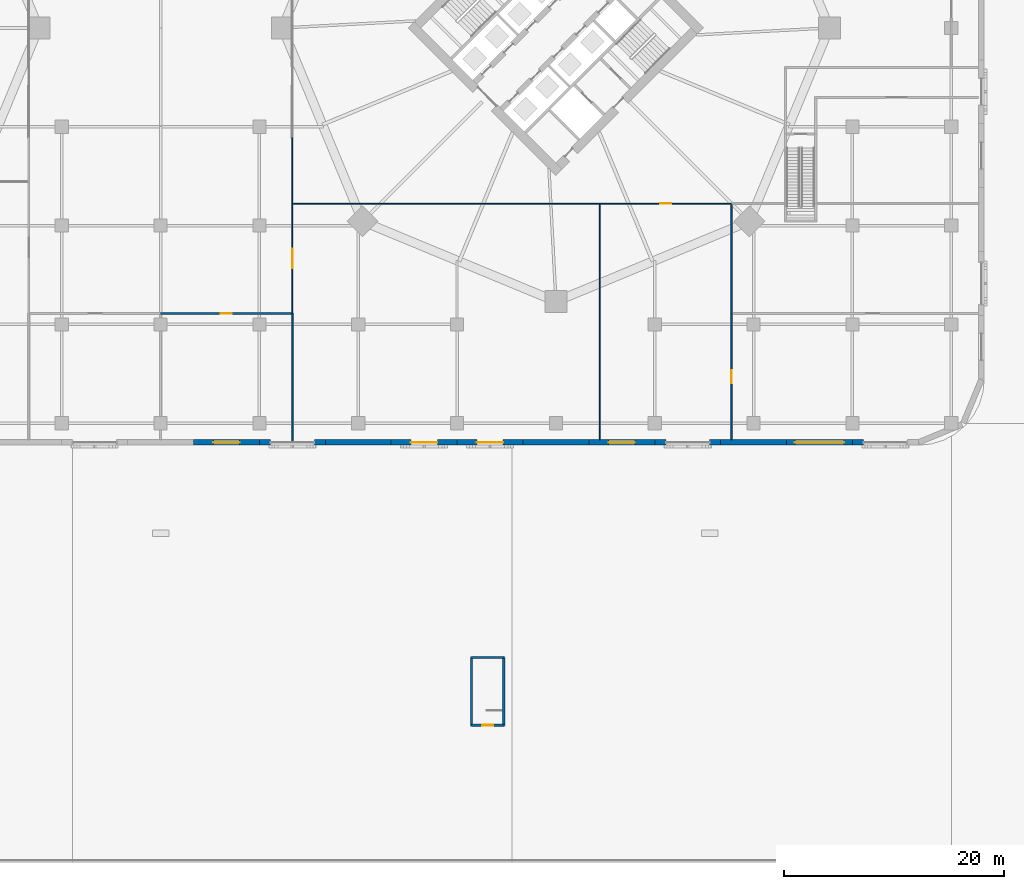
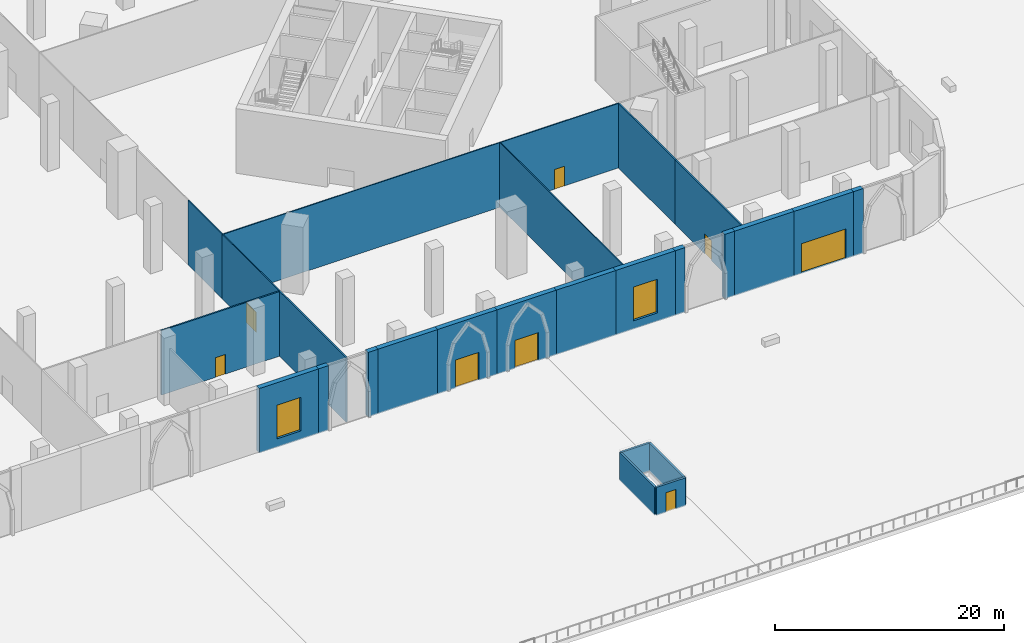
# One storey, part 27 of 48: 26 walls, 8 doors, 2 windows, 10 openings.
"""IFC4 building model written with IfcOpenShell, lengths in metres."""

from ifc_helpers import new_model, si_unit, direction, frame, frame_2d, origin, place, context, subcontext, project, spatial, rectangle, extrude, material, layer, layer_set, type_object, element, fill, save


model = new_model("IFC4")

# Units and contexts
model_context = context("Model", 3, precision=1e-05, world=origin(), true_north=direction((0.0, 1.0)))
body_context = subcontext(model_context, "Body", "Model", "MODEL_VIEW")
ifc_project = project(units=[si_unit("LENGTHUNIT", "METRE"), si_unit("AREAUNIT", "SQUARE_METRE"), si_unit("VOLUMEUNIT", "CUBIC_METRE"), si_unit("PLANEANGLEUNIT", "RADIAN"), si_unit("MASSUNIT", "GRAM", prefix="KILO")], contexts=[model_context])

# Site, building, storey
site_placement = place(None, origin())
site = spatial("IfcSite", under=ifc_project, at=site_placement, CompositionType="ELEMENT")
building_placement = place(site_placement, origin())
building = spatial("IfcBuilding", under=site, at=building_placement, Name="Ogive Gate Towers", CompositionType="ELEMENT")
storey_placement = place(building_placement, origin())
storey = spatial("IfcBuildingStorey", under=building, at=storey_placement, Name="L00", CompositionType="ELEMENT", Elevation=0.0)

# Wall, opening, window
ifc_material_1 = material(Name="Precast concrete C40/50", Category="concrete")
ifc_layer_1 = layer(ifc_material_1, 0.5)
ifc_layer_set_1 = layer_set([ifc_layer_1], Name="Arcade wall 500")
wall_type_1 = type_object("IfcWallType", Name="Arcade wall 500", PredefinedType="SOLIDWALL", material=ifc_layer_set_1)
wall_1_placement = place(storey_placement, frame((3.0, -37.75, 0.0), z_axis=(0.0, 0.0, 1.0), x_axis=(1.0, 0.0, 0.0)))
wall_1 = element("IfcWall", 1, at=wall_1_placement, inside=storey, type_object=wall_type_1, Name="Podium wall", PredefinedType="SOLIDWALL", context=body_context, shape_type="SweptSolid", body=[
    extrude(rectangle(XDim=6.0, YDim=0.5, at=frame_2d((3.0, 0.0))), origin(), (0.0, 0.0, 1.0), 6.89990234375),
])
opening_1_placement = place(wall_1_placement, frame((1.800048828125, 0.0, 0.89990234375)))
opening_1 = element("IfcOpeningElement", 2, at=opening_1_placement, cuts=wall_1, Name="Opening WN4", PredefinedType="OPENING", context=body_context, shape_type="SweptSolid", body=[
    extrude(rectangle(XDim=2.39990234375, YDim=3.60009765625, at=frame_2d((1.199951171875, 1.800048828125))), frame((0.0, 0.260009765625, 0.0), z_axis=(0.0, -1.0, 0.0), x_axis=(1.0, 0.0, 0.0)), (0.0, 0.0, 1.0), 0.52001953125),
])
ifc_material_2 = material(Name="Clear glass", Category="glass")
window_type = type_object("IfcWindowType", Name="Arcade window 2400 x 3600", PartitioningType="SINGLE_PANEL", PredefinedType="WINDOW", material=ifc_material_2)
window_1_placement = place(opening_1_placement, origin())
window_1 = element("IfcWindow", 3, at=window_1_placement, inside=storey, type_object=window_type, Name="Podium window", OverallHeight=3.60009765625, OverallWidth=2.39990234375, PartitioningType="SINGLE_PANEL", PredefinedType="WINDOW", context=body_context, shape_type="SweptSolid", body=[
    extrude(rectangle(XDim=2.39990234375, YDim=3.60009765625, at=frame_2d((1.199951171875, 1.800048828125))), frame((0.0, 0.030029296875, 0.0), z_axis=(0.0, -1.0, 0.0), x_axis=(1.0, 0.0, 0.0)), (0.0, 0.0, 1.0), 0.06005859375),
])
fill(opening_1, window_1)

# Walls
for number, where, z_axis, x_axis, name in (
    (4, (9.0, -37.75, 0.0), (0.0, 0.0, 1.0), (1.0, 0.0, 0.0), "Podium wall"),
    (5, (14.0, -37.75, 0.0), (0.0, 0.0, 1.0), (1.0, 0.0, 0.0), "Podium wall"),
):
    element("IfcWall", number, at=place(storey_placement, frame(where, z_axis=z_axis, x_axis=x_axis)), inside=storey, type_object=wall_type_1, Name=name, PredefinedType="SOLIDWALL", context=body_context, shape_type="SweptSolid", body=[
        extrude(rectangle(XDim=1.0, YDim=0.5, at=frame_2d((0.5, 0.0))), origin(), (0.0, 0.0, 1.0), 6.89990234375),
    ])
wall_2_placement = place(storey_placement, frame((15.0, -37.75, 0.0), z_axis=(0.0, 0.0, 1.0), x_axis=(1.0, 0.0, 0.0)))
element("IfcWall", 6, at=wall_2_placement, inside=storey, type_object=wall_type_1, Name="Podium wall", PredefinedType="SOLIDWALL", context=body_context, shape_type="SweptSolid", body=[
    extrude(rectangle(XDim=6.0, YDim=0.5, at=frame_2d((3.0, 0.0))), origin(), (0.0, 0.0, 1.0), 6.89990234375),
])

# Wall, opening, door
wall_3_placement = place(storey_placement, frame((21.0, -37.75, 0.0), z_axis=(0.0, 0.0, 1.0), x_axis=(1.0, 0.0, 0.0)))
wall_3 = element("IfcWall", 7, at=wall_3_placement, inside=storey, type_object=wall_type_1, Name="Podium wall", PredefinedType="SOLIDWALL", context=body_context, shape_type="SweptSolid", body=[
    extrude(rectangle(XDim=6.0, YDim=0.5, at=frame_2d((3.0, 0.0))), origin(), (0.0, 0.0, 1.0), 6.89990234375),
])
opening_2_placement = place(wall_3_placement, frame((1.800048828125, 0.0, 0.0)))
opening_2 = element("IfcOpeningElement", 8, at=opening_2_placement, cuts=wall_3, Name="Opening ED2-L00-16", PredefinedType="OPENING", context=body_context, shape_type="SweptSolid", body=[
    extrude(rectangle(XDim=2.39990234375, YDim=3.0, at=frame_2d((1.199951171875, 1.5))), frame((0.0, 0.260009765625, 0.0), z_axis=(0.0, -1.0, 0.0), x_axis=(1.0, 0.0, 0.0)), (0.0, 0.0, 1.0), 0.52001953125),
])
ifc_material_3 = material(Name="Pale metal aluminium", Category="aluminium")
door_type_1 = type_object("IfcDoorType", Name="Entrance door 2400 x 3000", OperationType="DOUBLE_DOOR_SINGLE_SWING", PredefinedType="DOOR", material=ifc_material_3)
door_1_placement = place(opening_2_placement, origin())
door_1 = element("IfcDoor", 9, at=door_1_placement, inside=storey, type_object=door_type_1, Name="Exterior door", OperationType="SINGLE_SWING_LEFT", OverallHeight=3.0, OverallWidth=2.39990234375, PredefinedType="DOOR", context=body_context, shape_type="SweptSolid", body=[
    extrude(rectangle(XDim=2.39990234375, YDim=3.0, at=frame_2d((1.199951171875, 1.5))), frame((0.0, 0.02490234375, 0.0), z_axis=(0.0, -1.0, 0.0), x_axis=(1.0, 0.0, 0.0)), (0.0, 0.0, 1.0), 0.050048828125),
])
fill(opening_2, door_1)

wall_4_placement = place(storey_placement, frame((27.0, -37.75, 0.0), z_axis=(0.0, 0.0, 1.0), x_axis=(1.0, 0.0, 0.0)))
wall_4 = element("IfcWall", 10, at=wall_4_placement, inside=storey, type_object=wall_type_1, Name="Podium wall", PredefinedType="SOLIDWALL", context=body_context, shape_type="SweptSolid", body=[
    extrude(rectangle(XDim=6.0, YDim=0.5, at=frame_2d((3.0, 0.0))), origin(), (0.0, 0.0, 1.0), 6.89990234375),
])
opening_3_placement = place(wall_4_placement, frame((1.800048828125, 0.0, 0.0)))
opening_3 = element("IfcOpeningElement", 11, at=opening_3_placement, cuts=wall_4, Name="Opening ED2-L00-17", PredefinedType="OPENING", context=body_context, shape_type="SweptSolid", body=[
    extrude(rectangle(XDim=2.39990234375, YDim=3.0, at=frame_2d((1.199951171875, 1.5))), frame((0.0, 0.260009765625, 0.0), z_axis=(0.0, -1.0, 0.0), x_axis=(1.0, 0.0, 0.0)), (0.0, 0.0, 1.0), 0.52001953125),
])
door_2_placement = place(opening_3_placement, origin())
door_2 = element("IfcDoor", 12, at=door_2_placement, inside=storey, type_object=door_type_1, Name="Exterior door", OperationType="SINGLE_SWING_LEFT", OverallHeight=3.0, OverallWidth=2.39990234375, PredefinedType="DOOR", context=body_context, shape_type="SweptSolid", body=[
    extrude(rectangle(XDim=2.39990234375, YDim=3.0, at=frame_2d((1.199951171875, 1.5))), frame((0.0, 0.02490234375, 0.0), z_axis=(0.0, -1.0, 0.0), x_axis=(1.0, 0.0, 0.0)), (0.0, 0.0, 1.0), 0.050048828125),
])
fill(opening_3, door_2)

# Wall
wall_5_placement = place(storey_placement, frame((33.0, -37.75, 0.0), z_axis=(0.0, 0.0, 1.0), x_axis=(1.0, 0.0, 0.0)))
element("IfcWall", 13, at=wall_5_placement, inside=storey, type_object=wall_type_1, Name="Podium wall", PredefinedType="SOLIDWALL", context=body_context, shape_type="SweptSolid", body=[
    extrude(rectangle(XDim=6.0, YDim=0.5, at=frame_2d((3.0, 0.0))), origin(), (0.0, 0.0, 1.0), 6.89990234375),
])

# Wall, opening, window
wall_6_placement = place(storey_placement, frame((39.0, -37.75, 0.0), z_axis=(0.0, 0.0, 1.0), x_axis=(1.0, 0.0, 0.0)))
wall_6 = element("IfcWall", 14, at=wall_6_placement, inside=storey, type_object=wall_type_1, Name="Podium wall", PredefinedType="SOLIDWALL", context=body_context, shape_type="SweptSolid", body=[
    extrude(rectangle(XDim=6.0, YDim=0.5, at=frame_2d((3.0, 0.0))), origin(), (0.0, 0.0, 1.0), 6.89990234375),
])
opening_4_placement = place(wall_6_placement, frame((1.800048828125, 0.0, 0.89990234375)))
opening_4 = element("IfcOpeningElement", 15, at=opening_4_placement, cuts=wall_6, Name="Opening WN4", PredefinedType="OPENING", context=body_context, shape_type="SweptSolid", body=[
    extrude(rectangle(XDim=2.39990234375, YDim=3.60009765625, at=frame_2d((1.199951171875, 1.800048828125))), frame((0.0, 0.260009765625, 0.0), z_axis=(0.0, -1.0, 0.0), x_axis=(1.0, 0.0, 0.0)), (0.0, 0.0, 1.0), 0.52001953125),
])
window_2_placement = place(opening_4_placement, origin())
window_2 = element("IfcWindow", 16, at=window_2_placement, inside=storey, type_object=window_type, Name="Podium window", OverallHeight=3.60009765625, OverallWidth=2.39990234375, PartitioningType="SINGLE_PANEL", PredefinedType="WINDOW", context=body_context, shape_type="SweptSolid", body=[
    extrude(rectangle(XDim=2.39990234375, YDim=3.60009765625, at=frame_2d((1.199951171875, 1.800048828125))), frame((0.0, 0.030029296875, 0.0), z_axis=(0.0, -1.0, 0.0), x_axis=(1.0, 0.0, 0.0)), (0.0, 0.0, 1.0), 0.06005859375),
])
fill(opening_4, window_2)

# Walls
for number, where, z_axis, x_axis, name in (
    (17, (45.0, -37.75, 0.0), (0.0, 0.0, 1.0), (1.0, 0.0, 0.0), "Podium wall"),
    (18, (50.0, -37.75, 0.0), (0.0, 0.0, 1.0), (1.0, 0.0, 0.0), "Podium wall"),
):
    element("IfcWall", number, at=place(storey_placement, frame(where, z_axis=z_axis, x_axis=x_axis)), inside=storey, type_object=wall_type_1, Name=name, PredefinedType="SOLIDWALL", context=body_context, shape_type="SweptSolid", body=[
        extrude(rectangle(XDim=1.0, YDim=0.5, at=frame_2d((0.5, 0.0))), origin(), (0.0, 0.0, 1.0), 6.89990234375),
    ])
wall_7_placement = place(storey_placement, frame((51.0, -37.75, 0.0), z_axis=(0.0, 0.0, 1.0), x_axis=(1.0, 0.0, 0.0)))
element("IfcWall", 19, at=wall_7_placement, inside=storey, type_object=wall_type_1, Name="Podium wall", PredefinedType="SOLIDWALL", context=body_context, shape_type="SweptSolid", body=[
    extrude(rectangle(XDim=6.0, YDim=0.5, at=frame_2d((3.0, 0.0))), origin(), (0.0, 0.0, 1.0), 6.89990234375),
])

# Wall, opening, door
wall_8_placement = place(storey_placement, frame((57.0, -37.75, 0.0), z_axis=(0.0, 0.0, 1.0), x_axis=(1.0, 0.0, 0.0)))
wall_8 = element("IfcWall", 20, at=wall_8_placement, inside=storey, type_object=wall_type_1, Name="Podium wall", PredefinedType="SOLIDWALL", context=body_context, shape_type="SweptSolid", body=[
    extrude(rectangle(XDim=6.0, YDim=0.5, at=frame_2d((3.0, 0.0))), origin(), (0.0, 0.0, 1.0), 6.89990234375),
])
opening_5_placement = place(wall_8_placement, frame((0.75, 0.0, 0.0)))
opening_5 = element("IfcOpeningElement", 21, at=opening_5_placement, cuts=wall_8, Name="Opening ED4-L00-01", PredefinedType="OPENING", context=body_context, shape_type="SweptSolid", body=[
    extrude(rectangle(XDim=4.5, YDim=3.199951171875, at=frame_2d((2.25, 1.60009765625))), frame((0.0, 0.260009765625, 0.0), z_axis=(0.0, -1.0, 0.0), x_axis=(1.0, 0.0, 0.0)), (0.0, 0.0, 1.0), 0.52001953125),
])
ifc_material_4 = material(Name="Galvanised steel", Category="steel")
door_type_2 = type_object("IfcDoorType", Name="Vehicle gate 4500 x 3200", OperationType="ROLLINGUP", PredefinedType="GATE", material=ifc_material_4)
door_3_placement = place(opening_5_placement, origin())
door_3 = element("IfcDoor", 22, at=door_3_placement, inside=storey, type_object=door_type_2, Name="Exterior door", OperationType="SINGLE_SWING_LEFT", OverallHeight=3.199951171875, OverallWidth=4.5, PredefinedType="GATE", context=body_context, shape_type="SweptSolid", body=[
    extrude(rectangle(XDim=4.5, YDim=3.199951171875, at=frame_2d((2.25, 1.60009765625))), frame((0.0, 0.02490234375, 0.0), z_axis=(0.0, -1.0, 0.0), x_axis=(1.0, 0.0, 0.0)), (0.0, 0.0, 1.0), 0.050048828125),
])
fill(opening_5, door_3)

# Walls
wall_9_placement = place(storey_placement, frame((63.0, -37.75, 0.0), z_axis=(0.0, 0.0, 1.0), x_axis=(1.0, 0.0, 0.0)))
element("IfcWall", 23, at=wall_9_placement, inside=storey, type_object=wall_type_1, Name="Podium wall", PredefinedType="SOLIDWALL", context=body_context, shape_type="SweptSolid", body=[
    extrude(rectangle(XDim=1.0, YDim=0.5, at=frame_2d((0.5, 0.0))), origin(), (0.0, 0.0, 1.0), 6.89990234375),
])
ifc_material_5 = material(Name="Gypsum board partition")
ifc_layer_2 = layer(ifc_material_5, 0.10009765625)
ifc_layer_set_2 = layer_set([ifc_layer_2], Name="Partition wall 100")
wall_type_2 = type_object("IfcWallType", Name="Partition wall 100", PredefinedType="PARTITIONING", material=ifc_layer_set_2)
wall_10_placement = place(storey_placement, frame((12.0, -16.0, 0.0), z_axis=(0.0, 0.0, 1.0), x_axis=(0.0, 1.0, 0.0)))
element("IfcWall", 24, at=wall_10_placement, inside=storey, type_object=wall_type_2, Name="L00 partition 030", PredefinedType="PARTITIONING", context=body_context, shape_type="SweptSolid", body=[
    extrude(rectangle(XDim=6.0, YDim=0.10009765625, at=frame_2d((3.0, 0.0))), origin(), (0.0, 0.0, 1.0), 6.89990234375),
])

# Wall, opening, door
wall_11_placement = place(storey_placement, frame((12.0, -26.0, 0.0), z_axis=(0.0, 0.0, 1.0), x_axis=(0.0, 1.0, 0.0)))
wall_11 = element("IfcWall", 25, at=wall_11_placement, inside=storey, type_object=wall_type_2, Name="L00 partition 031", PredefinedType="PARTITIONING", context=body_context, shape_type="SweptSolid", body=[
    extrude(rectangle(XDim=10.0, YDim=0.10009765625, at=frame_2d((5.0, 0.0))), origin(), (0.0, 0.0, 1.0), 6.89990234375),
])
opening_6_placement = place(wall_11_placement, frame((4.10009765625, 0.0, 0.0)))
opening_6 = element("IfcOpeningElement", 26, at=opening_6_placement, cuts=wall_11, Name="Opening PO118", PredefinedType="OPENING", context=body_context, shape_type="SweptSolid", body=[
    extrude(rectangle(XDim=1.800048828125, YDim=2.10009765625, at=frame_2d((0.89990234375, 1.050048828125))), frame((0.0, 0.06005859375, 0.0), z_axis=(0.0, -1.0, 0.0), x_axis=(1.0, 0.0, 0.0)), (0.0, 0.0, 1.0), 0.1201171875),
])
ifc_material_6 = material(Name="Timber door", Category="wood")
door_type_3 = type_object("IfcDoorType", Name="Double door 1800 x 2100", OperationType="NOTDEFINED", PredefinedType="DOOR", material=ifc_material_6)
door_4_placement = place(opening_6_placement, origin())
door_4 = element("IfcDoor", 27, at=door_4_placement, inside=storey, type_object=door_type_3, Name="Door PO118", OperationType="DOUBLE_DOOR_DOUBLE_SWING", OverallHeight=2.10009765625, OverallWidth=1.800048828125, PredefinedType="DOOR", context=body_context, shape_type="SweptSolid", body=[
    extrude(rectangle(XDim=1.800048828125, YDim=2.10009765625, at=frame_2d((0.89990234375, 1.050048828125))), frame((0.0, 0.02490234375, 0.0), z_axis=(0.0, -1.0, 0.0), x_axis=(1.0, 0.0, 0.0)), (0.0, 0.0, 1.0), 0.050048828125),
])
fill(opening_6, door_4)

# Wall
wall_12_placement = place(storey_placement, frame((12.050048828125, -16.0, 0.0), z_axis=(0.0, 0.0, 1.0), x_axis=(1.0, 0.0, 0.0)))
element("IfcWall", 28, at=wall_12_placement, inside=storey, type_object=wall_type_2, Name="L00 partition 054", PredefinedType="PARTITIONING", context=body_context, shape_type="SweptSolid", body=[
    extrude(rectangle(XDim=27.949951171875, YDim=0.10009765625, at=frame_2d((13.97509765625, 0.0))), origin(), (0.0, 0.0, 1.0), 6.89990234375),
])

# Wall, opening, door
wall_13_placement = place(storey_placement, frame((40.0, -16.0, 0.0), z_axis=(0.0, 0.0, 1.0), x_axis=(1.0, 0.0, 0.0)))
wall_13 = element("IfcWall", 29, at=wall_13_placement, inside=storey, type_object=wall_type_2, Name="L00 partition 055", PredefinedType="PARTITIONING", context=body_context, shape_type="SweptSolid", body=[
    extrude(rectangle(XDim=12.0, YDim=0.10009765625, at=frame_2d((6.0, 0.0))), origin(), (0.0, 0.0, 1.0), 6.89990234375),
])
opening_7_placement = place(wall_13_placement, frame((5.5, 0.0, 0.0)))
opening_7 = element("IfcOpeningElement", 30, at=opening_7_placement, cuts=wall_13, Name="Opening PO119", PredefinedType="OPENING", context=body_context, shape_type="SweptSolid", body=[
    extrude(rectangle(XDim=1.0, YDim=2.10009765625, at=frame_2d((0.5, 1.050048828125))), frame((0.0, 0.06005859375, 0.0), z_axis=(0.0, -1.0, 0.0), x_axis=(1.0, 0.0, 0.0)), (0.0, 0.0, 1.0), 0.1201171875),
])
door_type_4 = type_object("IfcDoorType", Name="Door 1000 x 2100", OperationType="NOTDEFINED", PredefinedType="DOOR", material=ifc_material_6)
door_5_placement = place(opening_7_placement, origin())
door_5 = element("IfcDoor", 31, at=door_5_placement, inside=storey, type_object=door_type_4, Name="Door PO119", OperationType="SINGLE_SWING_LEFT", OverallHeight=2.10009765625, OverallWidth=1.0, PredefinedType="DOOR", context=body_context, shape_type="SweptSolid", body=[
    extrude(rectangle(XDim=1.0, YDim=2.10009765625, at=frame_2d((0.5, 1.050048828125))), frame((0.0, 0.02490234375, 0.0), z_axis=(0.0, -1.0, 0.0), x_axis=(1.0, 0.0, 0.0)), (0.0, 0.0, 1.0), 0.050048828125),
])
fill(opening_7, door_5)

# Wall
wall_14_placement = place(storey_placement, frame((40.0, -37.5, 0.0), z_axis=(0.0, 0.0, 1.0), x_axis=(0.0, 1.0, 0.0)))
element("IfcWall", 32, at=wall_14_placement, inside=storey, type_object=wall_type_2, Name="L00 partition 059", PredefinedType="PARTITIONING", context=body_context, shape_type="SweptSolid", body=[
    extrude(rectangle(XDim=21.449951171875, YDim=0.10009765625, at=frame_2d((10.72509765625, 0.0))), origin(), (0.0, 0.0, 1.0), 6.89990234375),
])

# Wall, opening, door
ifc_material_7 = material(Name="Fire-rated gypsum board partition")
ifc_layer_3 = layer(ifc_material_7, 0.14990234375)
ifc_layer_set_3 = layer_set([ifc_layer_3], Name="Partition wall 150")
wall_type_3 = type_object("IfcWallType", Name="Partition wall 150", PredefinedType="PARTITIONING", material=ifc_layer_set_3)
wall_15_placement = place(storey_placement, frame((0.0, -26.0, 0.0), z_axis=(0.0, 0.0, 1.0), x_axis=(1.0, 0.0, 0.0)))
wall_15 = element("IfcWall", 33, at=wall_15_placement, inside=storey, type_object=wall_type_3, Name="L00 partition 033", PredefinedType="PARTITIONING", context=body_context, shape_type="SweptSolid", body=[
    extrude(rectangle(XDim=11.925048828125, YDim=0.14990234375, at=frame_2d((5.96240234375, 0.0))), origin(), (0.0, 0.0, 1.0), 6.89990234375),
])
opening_8_placement = place(wall_15_placement, frame((5.46240234375, 0.0, 0.0)))
opening_8 = element("IfcOpeningElement", 34, at=opening_8_placement, cuts=wall_15, Name="Opening PO129", PredefinedType="OPENING", context=body_context, shape_type="SweptSolid", body=[
    extrude(rectangle(XDim=1.0, YDim=2.10009765625, at=frame_2d((0.5, 1.050048828125))), frame((0.0, 0.0849609375, 0.0), z_axis=(0.0, -1.0, 0.0), x_axis=(1.0, 0.0, 0.0)), (0.0, 0.0, 1.0), 0.169921875),
])
ifc_material_8 = material(Name="Steel fire door", Category="steel")
door_type_5 = type_object("IfcDoorType", Name="Interior fire door FD60S 1000 x 2100", OperationType="NOTDEFINED", PredefinedType="DOOR", material=ifc_material_8)
door_6_placement = place(opening_8_placement, origin())
door_6 = element("IfcDoor", 35, at=door_6_placement, inside=storey, type_object=door_type_5, Name="Door PO129", OperationType="SINGLE_SWING_LEFT", OverallHeight=2.10009765625, OverallWidth=1.0, PredefinedType="DOOR", context=body_context, shape_type="SweptSolid", body=[
    extrude(rectangle(XDim=1.0, YDim=2.10009765625, at=frame_2d((0.5, 1.050048828125))), frame((0.0, 0.02490234375, 0.0), z_axis=(0.0, -1.0, 0.0), x_axis=(1.0, 0.0, 0.0)), (0.0, 0.0, 1.0), 0.050048828125),
])
fill(opening_8, door_6)

# Wall
wall_16_placement = place(storey_placement, frame((12.0, -37.679931640625, 0.0), z_axis=(0.0, 0.0, 1.0), x_axis=(0.0, 1.0, 0.0)))
element("IfcWall", 36, at=wall_16_placement, inside=storey, type_object=wall_type_3, Name="L00 partition 060", PredefinedType="PARTITIONING", context=body_context, shape_type="SweptSolid", body=[
    extrude(rectangle(XDim=11.679931640625, YDim=0.14990234375, at=frame_2d((5.83984375, 0.0))), origin(), (0.0, 0.0, 1.0), 6.89990234375),
])

# Wall, opening, door
wall_17_placement = place(storey_placement, frame((52.0, -37.5, 0.0), z_axis=(0.0, 0.0, 1.0), x_axis=(0.0, 1.0, 0.0)))
wall_17 = element("IfcWall", 37, at=wall_17_placement, inside=storey, type_object=wall_type_3, Name="L00 partition 061", PredefinedType="PARTITIONING", context=body_context, shape_type="SweptSolid", body=[
    extrude(rectangle(XDim=11.5, YDim=0.14990234375, at=frame_2d((5.75, 0.0))), origin(), (0.0, 0.0, 1.0), 6.89990234375),
])
opening_9_placement = place(wall_17_placement, frame((5.14990234375, 0.0, 0.0)))
opening_9 = element("IfcOpeningElement", 38, at=opening_9_placement, cuts=wall_17, Name="Opening PO120", PredefinedType="OPENING", context=body_context, shape_type="SweptSolid", body=[
    extrude(rectangle(XDim=1.199951171875, YDim=2.10009765625, at=frame_2d((0.60009765625, 1.050048828125))), frame((0.0, 0.0849609375, 0.0), z_axis=(0.0, -1.0, 0.0), x_axis=(1.0, 0.0, 0.0)), (0.0, 0.0, 1.0), 0.169921875),
])
door_type_6 = type_object("IfcDoorType", Name="Interior fire door FD60S 1200 x 2100", OperationType="NOTDEFINED", PredefinedType="DOOR", material=ifc_material_8)
door_7_placement = place(opening_9_placement, origin())
door_7 = element("IfcDoor", 39, at=door_7_placement, inside=storey, type_object=door_type_6, Name="Door PO120", OperationType="SINGLE_SWING_RIGHT", OverallHeight=2.10009765625, OverallWidth=1.199951171875, PredefinedType="DOOR", context=body_context, shape_type="SweptSolid", body=[
    extrude(rectangle(XDim=1.199951171875, YDim=2.10009765625, at=frame_2d((0.60009765625, 1.050048828125))), frame((0.0, 0.02490234375, 0.0), z_axis=(0.0, -1.0, 0.0), x_axis=(1.0, 0.0, 0.0)), (0.0, 0.0, 1.0), 0.050048828125),
])
fill(opening_9, door_7)

# Wall
wall_18_placement = place(storey_placement, frame((52.0, -26.0, 0.0), z_axis=(0.0, 0.0, 1.0), x_axis=(0.0, 1.0, 0.0)))
element("IfcWall", 40, at=wall_18_placement, inside=storey, type_object=wall_type_3, Name="L00 partition 062", PredefinedType="PARTITIONING", context=body_context, shape_type="SweptSolid", body=[
    extrude(rectangle(XDim=9.925048828125, YDim=0.14990234375, at=frame_2d((4.96240234375, 0.0))), origin(), (0.0, 0.0, 1.0), 6.89990234375),
])

# Wall, opening, door
ifc_material_9 = material(Name="Concrete C32/40", Category="concrete")
ifc_layer_4 = layer(ifc_material_9, 0.199951171875)
ifc_layer_set_4 = layer_set([ifc_layer_4], Name="Stair house wall 200")
wall_type_4 = type_object("IfcWallType", Name="Stair house wall 200", PredefinedType="SOLIDWALL", material=ifc_layer_set_4)
wall_19_placement = place(storey_placement, frame((31.25, -63.5, 0.0), z_axis=(0.0, 0.0, 1.0), x_axis=(-1.0, 0.0, 0.0)))
wall_19 = element("IfcWall", 41, at=wall_19_placement, inside=storey, type_object=wall_type_4, Name="CS7 stair house wall 1", PredefinedType="SOLIDWALL", context=body_context, shape_type="SweptSolid", body=[
    extrude(rectangle(XDim=2.949951171875, YDim=0.199951171875, at=frame_2d((1.47509765625, 0.0))), origin(), (0.0, 0.0, 1.0), 3.0),
])
opening_10_placement = place(wall_19_placement, frame((0.97509765625, 0.0, 0.0)))
opening_10 = element("IfcOpeningElement", 42, at=opening_10_placement, cuts=wall_19, Name="Opening CPD37-L00", PredefinedType="OPENING", context=body_context, shape_type="SweptSolid", body=[
    extrude(rectangle(XDim=1.0, YDim=2.10009765625, at=frame_2d((0.5, 1.050048828125))), frame((0.0, 0.10986328125, 0.0), z_axis=(0.0, -1.0, 0.0), x_axis=(1.0, 0.0, 0.0)), (0.0, 0.0, 1.0), 0.219970703125),
])
ifc_material_10 = material(Name="Painted steel door", Category="steel")
door_type_7 = type_object("IfcDoorType", Name="Stair house door 1000 x 2100", OperationType="SINGLE_SWING_LEFT", PredefinedType="DOOR", material=ifc_material_10)
door_8_placement = place(opening_10_placement, origin())
door_8 = element("IfcDoor", 43, at=door_8_placement, inside=storey, type_object=door_type_7, Name="Door CS7 discharge", OperationType="SINGLE_SWING_LEFT", OverallHeight=2.10009765625, OverallWidth=1.0, PredefinedType="DOOR", context=body_context, shape_type="SweptSolid", body=[
    extrude(rectangle(XDim=1.0, YDim=2.10009765625, at=frame_2d((0.5, 1.050048828125))), frame((0.0, 0.02490234375, 0.0), z_axis=(0.0, -1.0, 0.0), x_axis=(1.0, 0.0, 0.0)), (0.0, 0.0, 1.0), 0.050048828125),
])
fill(opening_10, door_8)

# Walls
wall_20_placement = place(storey_placement, frame((28.300048828125, -63.5, 0.0), z_axis=(0.0, 0.0, 1.0), x_axis=(0.0, 1.0, 0.0)))
element("IfcWall", 44, at=wall_20_placement, inside=storey, type_object=wall_type_4, Name="CS7 stair house wall 2", PredefinedType="SOLIDWALL", context=body_context, shape_type="SweptSolid", body=[
    extrude(rectangle(XDim=6.159912109375, YDim=0.199951171875, at=frame_2d((3.080078125, 0.0))), origin(), (0.0, 0.0, 1.0), 3.0),
])
wall_21_placement = place(storey_placement, frame((28.300048828125, -57.340087890625, 0.0), z_axis=(0.0, 0.0, 1.0), x_axis=(1.0, 0.0, 0.0)))
element("IfcWall", 45, at=wall_21_placement, inside=storey, type_object=wall_type_4, Name="CS7 stair house wall 3", PredefinedType="SOLIDWALL", context=body_context, shape_type="SweptSolid", body=[
    extrude(rectangle(XDim=2.949951171875, YDim=0.199951171875, at=frame_2d((1.47509765625, 0.0))), origin(), (0.0, 0.0, 1.0), 3.0),
])
wall_22_placement = place(storey_placement, frame((31.25, -57.340087890625, 0.0), z_axis=(0.0, 0.0, 1.0), x_axis=(0.0, -1.0, 0.0)))
element("IfcWall", 46, at=wall_22_placement, inside=storey, type_object=wall_type_4, Name="CS7 stair house wall 4", PredefinedType="SOLIDWALL", context=body_context, shape_type="SweptSolid", body=[
    extrude(rectangle(XDim=6.159912109375, YDim=0.199951171875, at=frame_2d((3.080078125, 0.0))), origin(), (0.0, 0.0, 1.0), 3.0),
])

save(model, "model.ifc")
